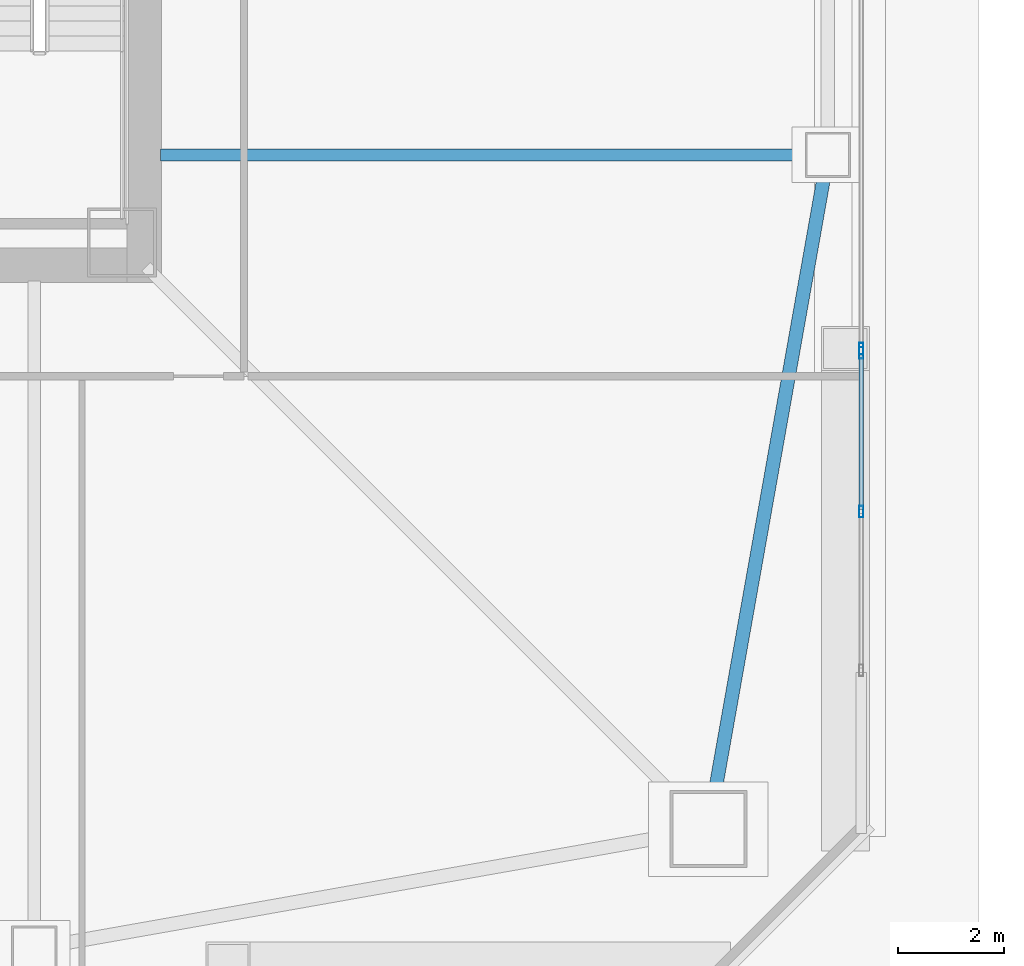
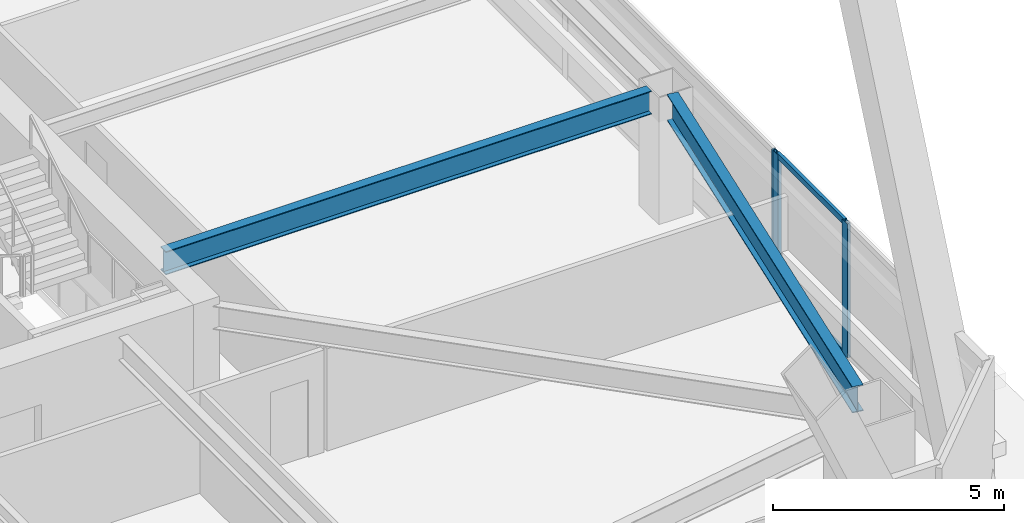
# One storey, part 16 of 67: 5 members, 2 beams, 2 elements without a shape of their own.
"""IFC4 building model written with IfcOpenShell, lengths in metres."""

from ifc_helpers import new_model, si_unit, direction, frame, origin, origin_2d, place, context, subcontext, project, spatial, hollow_rectangle, i_section, extrude, material, material_profile, profile_set, type_object, element, aggregate, save


model = new_model("IFC4")

# Units and contexts
model_context = context("Model", 3, precision=1e-05, world=origin(), true_north=direction((0.0, 1.0)))
body_context = subcontext(model_context, "Body", "Model", "MODEL_VIEW")
ifc_project = project(units=[si_unit("LENGTHUNIT", "METRE"), si_unit("AREAUNIT", "SQUARE_METRE"), si_unit("VOLUMEUNIT", "CUBIC_METRE"), si_unit("PLANEANGLEUNIT", "RADIAN"), si_unit("MASSUNIT", "GRAM", prefix="KILO")], contexts=[model_context])

# Site, building, storey
site_placement = place(None, origin())
site = spatial("IfcSite", under=ifc_project, at=site_placement, CompositionType="ELEMENT")
building_placement = place(site_placement, origin())
building = spatial("IfcBuilding", under=site, at=building_placement, Name="Tashvorn Skyway Center", CompositionType="ELEMENT")
storey_placement = place(building_placement, frame((0.0, 0.0, 67.199951171875)))
storey = spatial("IfcBuildingStorey", under=building, at=storey_placement, Name="L17", CompositionType="ELEMENT", Elevation=67.199951171875)

# Beams
ifc_material_1 = material(Name="Steel ASTM A992 Grade 50", Category="steel")
ifc_material_profile_1 = material_profile(ifc_material_1, i_section(OverallWidth=0.22998046875, OverallDepth=0.616943359375, WebThickness=0.01318359375, FlangeThickness=0.022216796875, at=origin_2d()), Name="W24X94")
ifc_profile_set_1 = profile_set([ifc_material_profile_1], Name="Steel ASTM A992 Grade 50")
beam_type_1 = type_object("IfcBeamType", Name="BM-BEAM-W24X94", PredefinedType="BEAM", material=ifc_profile_set_1)
beam_1_placement = place(storey_placement, frame((61.929931640625, 26.60009765625, 3.04150390625), z_axis=(-1.0, 0.0, 0.0), x_axis=(0.0, -1.0, 0.0)))
element("IfcBeam", 1, at=beam_1_placement, inside=storey, type_object=beam_type_1, Name="Tower 1 L17 Primary Floor Girder FC-E1", PredefinedType="BEAM", context=body_context, shape_type="SweptSolid", body=[
    extrude(i_section(OverallWidth=0.22998046875, OverallDepth=0.616943359375, WebThickness=0.01318359375, FlangeThickness=0.022216796875, at=origin_2d()), origin(), (0.0, 0.0, 1.0), 12.14990234375),
])
ifc_material_profile_2 = material_profile(ifc_material_1, i_section(OverallWidth=0.256103515625, OverallDepth=0.693115234375, WebThickness=0.014404296875, FlangeThickness=0.023681640625, at=origin_2d()), Name="W27X114")
ifc_profile_set_2 = profile_set([ifc_material_profile_2], Name="Steel ASTM A992 Grade 50")
beam_type_2 = type_object("IfcBeamType", Name="BM-SPANDREL-W27X114", PredefinedType="SPANDREL", material=ifc_profile_set_2)
beam_2_placement = place(storey_placement, frame((60.2255859375, 14.60888671875, 3.003662109375), z_axis=(0.174437966698, 0.98466816531, 0.0), x_axis=(-0.98466816531, 0.174437966698, 0.0)))
element("IfcBeam", 2, at=beam_2_placement, inside=storey, type_object=beam_type_2, Name="Tower 1 L17 Spandrel Beam 04", PredefinedType="SPANDREL", context=body_context, shape_type="SweptSolid", body=[
    extrude(i_section(OverallWidth=0.256103515625, OverallDepth=0.693115234375, WebThickness=0.014404296875, FlangeThickness=0.023681640625, at=origin_2d()), origin(), (0.0, 0.0, 1.0), 11.7578125),
])

# Curtain wall, member
ifc_material_2 = material(Name="Thermally broken bronze-anodized aluminium 6063-T6", Category="aluminium")
curtain_wall_type = type_object("IfcCurtainWallType", Name="CW-CW-Z2", PredefinedType="NOTDEFINED", material=ifc_material_2)
curtain_wall_1_placement = place(storey_placement, origin())
curtain_wall_1 = element("IfcCurtainWall", 3, at=curtain_wall_1_placement, inside=storey, type_object=curtain_wall_type, Name="Tower 1 L17 East Unitised Curtain Wall Glazing Group 2", PredefinedType="NOTDEFINED")
ifc_material_profile_3 = material_profile(ifc_material_2, hollow_rectangle(XDim=0.080078125, YDim=0.219970703125, WallThickness=0.0048828125, at=origin_2d()), Name="ALU-MULL-80x220")
ifc_profile_set_3 = profile_set([ifc_material_profile_3], Name="Thermally broken bronze-anodized aluminium 6063-T6")
member_type_1 = type_object("IfcMemberType", Name="CWM-CW-Z2", PredefinedType="MULLION", material=ifc_profile_set_3)
member_1_placement = place(storey_placement, frame((62.97998046875, 22.949951171875, 0.0), z_axis=(0.0, 0.0, 1.0), x_axis=(1.0, 0.0, 0.0)))
member_1 = element("IfcMember", 4, at=member_1_placement, type_object=member_type_1, Name="CW-Z2 mullion 3", PredefinedType="MULLION", context=body_context, shape_type="SweptSolid", body=[
    extrude(hollow_rectangle(XDim=0.080078125, YDim=0.219970703125, WallThickness=0.0048828125, at=origin_2d()), origin(), (0.0, 0.0, 1.0), 3.550048828125),
])
aggregate(curtain_wall_1, [member_1])

# Curtain wall, members
curtain_wall_2_placement = place(storey_placement, origin())
curtain_wall_2 = element("IfcCurtainWall", 5, at=curtain_wall_2_placement, inside=storey, type_object=curtain_wall_type, Name="Tower 1 L17 East Unitised Curtain Wall Glazing Group 3", PredefinedType="NOTDEFINED")
member_2_placement = place(storey_placement, frame((62.97998046875, 22.8701171875, 0.0), z_axis=(0.0, 0.0, 1.0), x_axis=(1.0, 0.0, 0.0)))
member_2 = element("IfcMember", 6, at=member_2_placement, type_object=member_type_1, Name="CW-Z2 mullion 1", PredefinedType="MULLION", context=body_context, shape_type="SweptSolid", body=[
    extrude(hollow_rectangle(XDim=0.080078125, YDim=0.219970703125, WallThickness=0.0048828125, at=origin_2d()), origin(), (0.0, 0.0, 1.0), 3.550048828125),
])
member_3_placement = place(storey_placement, frame((62.97998046875, 19.8798828125, 0.0), z_axis=(0.0, 0.0, 1.0), x_axis=(1.0, 0.0, 0.0)))
member_3 = element("IfcMember", 7, at=member_3_placement, type_object=member_type_1, Name="CW-Z2 mullion 2", PredefinedType="MULLION", context=body_context, shape_type="SweptSolid", body=[
    extrude(hollow_rectangle(XDim=0.080078125, YDim=0.219970703125, WallThickness=0.0048828125, at=origin_2d()), origin(), (0.0, 0.0, 1.0), 3.550048828125),
])
ifc_material_profile_4 = material_profile(ifc_material_2, hollow_rectangle(XDim=0.080078125, YDim=0.14990234375, WallThickness=0.00439453125, at=origin_2d()), Name="ALU-TRAN-80x150")
ifc_profile_set_4 = profile_set([ifc_material_profile_4], Name="Thermally broken bronze-anodized aluminium 6063-T6")
member_type_2 = type_object("IfcMemberType", Name="CWT-CW-Z2", PredefinedType="USERDEFINED", material=ifc_profile_set_4)
member_4_placement = place(storey_placement, frame((62.97998046875, 22.830078125, 0.0400390625), z_axis=(0.0, -1.0, 0.0), x_axis=(1.0, 0.0, 0.0)))
member_4 = element("IfcMember", 8, at=member_4_placement, type_object=member_type_2, Name="CW-Z2 transom 1.1", ObjectType="TRANSOM", PredefinedType="USERDEFINED", context=body_context, shape_type="SweptSolid", body=[
    extrude(hollow_rectangle(XDim=0.080078125, YDim=0.14990234375, WallThickness=0.00439453125, at=origin_2d()), origin(), (0.0, 0.0, 1.0), 2.91015625),
])
member_5_placement = place(storey_placement, frame((62.97998046875, 22.830078125, 3.510009765625), z_axis=(0.0, -1.0, 0.0), x_axis=(1.0, 0.0, 0.0)))
member_5 = element("IfcMember", 9, at=member_5_placement, type_object=member_type_2, Name="CW-Z2 transom 1.2", ObjectType="TRANSOM", PredefinedType="USERDEFINED", context=body_context, shape_type="SweptSolid", body=[
    extrude(hollow_rectangle(XDim=0.080078125, YDim=0.14990234375, WallThickness=0.00439453125, at=origin_2d()), origin(), (0.0, 0.0, 1.0), 2.91015625),
])
aggregate(curtain_wall_2, [member_2, member_3, member_4, member_5])

save(model, "model.ifc")
